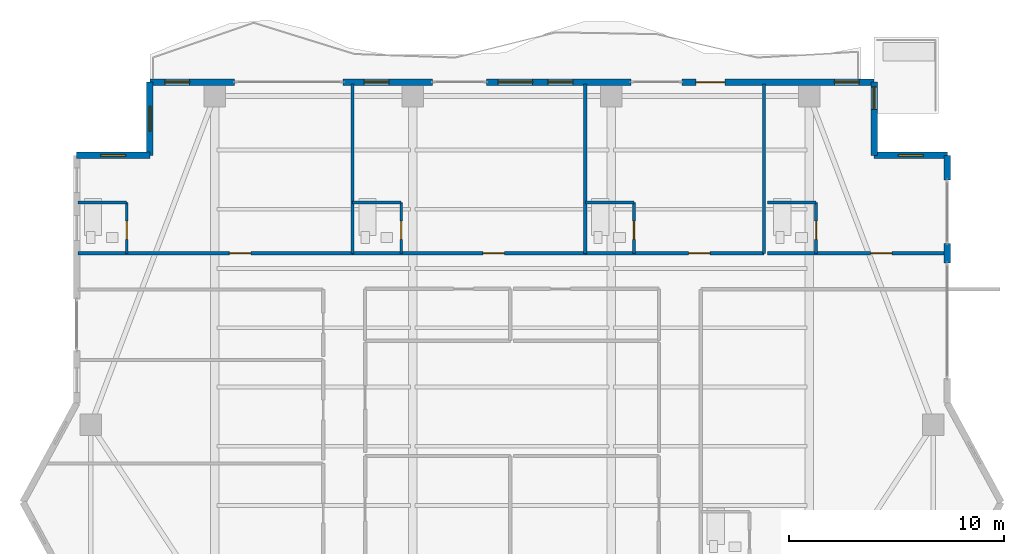
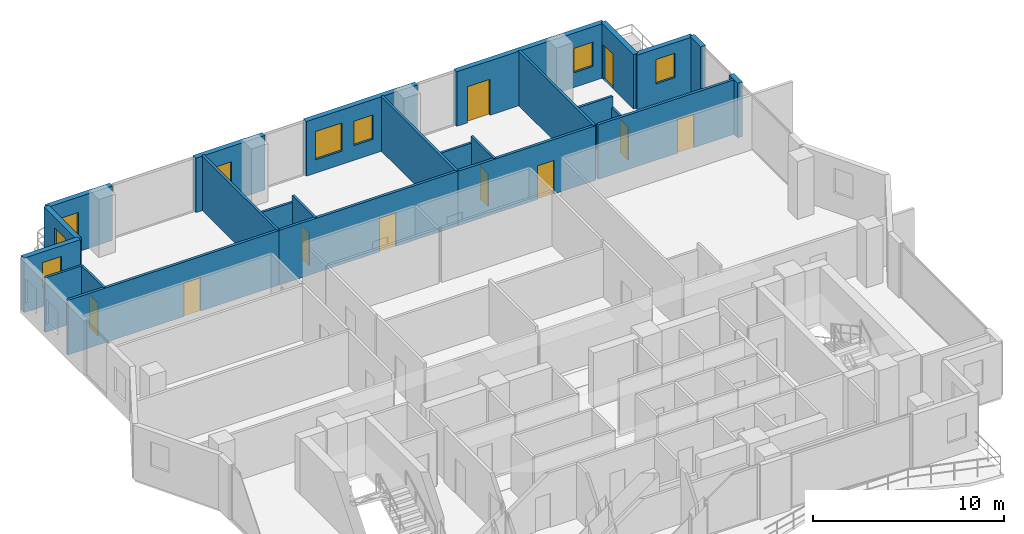
# One storey, part 20 of 24: 25 walls, 10 doors, 8 windows, 18 openings.
"""IFC4 building model written with IfcOpenShell, lengths in metres."""

from ifc_helpers import new_model, si_unit, direction, frame, frame_2d, origin, place, context, subcontext, project, spatial, rectangle, extrude, material, layer, layer_set, type_object, element, fill, save


model = new_model("IFC4")

# Units and contexts
model_context = context("Model", 3, precision=1e-05, world=origin(), true_north=direction((0.0, 1.0)))
body_context = subcontext(model_context, "Body", "Model", "MODEL_VIEW")
ifc_project = project(units=[si_unit("LENGTHUNIT", "METRE"), si_unit("AREAUNIT", "SQUARE_METRE"), si_unit("VOLUMEUNIT", "CUBIC_METRE"), si_unit("PLANEANGLEUNIT", "RADIAN"), si_unit("MASSUNIT", "GRAM", prefix="KILO")], contexts=[model_context])

# Site, building, storey
site_placement = place(None, origin())
site = spatial("IfcSite", under=ifc_project, at=site_placement, CompositionType="ELEMENT")
building_placement = place(site_placement, origin())
building = spatial("IfcBuilding", under=site, at=building_placement, Name="Zuhayl Quay Hotel", CompositionType="ELEMENT")
storey_placement = place(building_placement, frame((0.0, 0.0, 269.25)))
storey = spatial("IfcBuildingStorey", under=building, at=storey_placement, Name="L68", CompositionType="ELEMENT", Elevation=269.25)

# Wall, opening, window
ifc_material_1 = material(Name="Precast concrete C45/55", Category="concrete")
ifc_layer_1 = layer(ifc_material_1, 0.300048828125, Name="Precast concrete C45/55", Category="concrete")
ifc_layer_set_1 = layer_set([ifc_layer_1], Name="Precast concrete C45/55")
wall_type_1 = type_object("IfcWallType", Name="WL_EXT_300", PredefinedType="STANDARD", material=ifc_layer_set_1)
wall_1_placement = place(storey_placement, frame((-20.199951171875, 35.60009765625, 0.0), z_axis=(0.0, 0.0, 1.0), x_axis=(1.0, 0.0, 0.0)))
wall_1 = element("IfcWall", 1, at=wall_1_placement, inside=storey, type_object=wall_type_1, Name="L68 Exterior Precast Wall ENV_L68_EW06", PredefinedType="STANDARD", context=body_context, shape_type="SweptSolid", body=[
    extrude(rectangle(XDim=3.39990234375, YDim=0.300048828125, at=frame_2d((1.699951171875, 0.0))), origin(), (0.0, 0.0, 1.0), 3.47998046875),
])
opening_1_placement = place(wall_1_placement, frame((1.125, 0.0, 1.25)))
opening_1 = element("IfcOpeningElement", 2, at=opening_1_placement, cuts=wall_1, Name="Opening W01N", PredefinedType="OPENING", context=body_context, shape_type="SweptSolid", body=[
    extrude(rectangle(XDim=1.14990234375, YDim=1.550048828125, at=frame_2d((0.574951171875, 0.77490234375))), frame((0.0, 0.159912109375, 0.0), z_axis=(0.0, -1.0, 0.0), x_axis=(1.0, 0.0, 0.0)), (0.0, 0.0, 1.0), 0.320068359375),
])
ifc_material_2 = material(Name="Dark Ceramic-Fritted Solar Glass", Category="glass")
window_type_1 = type_object("IfcWindowType", Name="WN_NOTCH_1350", PartitioningType="SINGLE_PANEL", PredefinedType="WINDOW", material=ifc_material_2)
window_1_placement = place(opening_1_placement, origin())
window_1 = element("IfcWindow", 3, at=window_1_placement, inside=storey, type_object=window_type_1, Name="L68 Corner Notch Window 6", OverallHeight=1.550048828125, OverallWidth=1.14990234375, PartitioningType="SINGLE_PANEL", PredefinedType="WINDOW", context=body_context, shape_type="SweptSolid", body=[
    extrude(rectangle(XDim=1.14990234375, YDim=1.550048828125, at=frame_2d((0.574951171875, 0.77490234375))), frame((0.0, 0.030029296875, 0.0), z_axis=(0.0, -1.0, 0.0), x_axis=(1.0, 0.0, 0.0)), (0.0, 0.0, 1.0), 0.06005859375),
])
fill(opening_1, window_1)

wall_2_placement = place(storey_placement, frame((-16.800048828125, 35.60009765625, 0.0), z_axis=(0.0, 0.0, 1.0), x_axis=(0.0, 1.0, 0.0)))
wall_2 = element("IfcWall", 4, at=wall_2_placement, inside=storey, type_object=wall_type_1, Name="L68 Exterior Precast Wall ENV_L68_EW07", PredefinedType="STANDARD", context=body_context, shape_type="SweptSolid", body=[
    extrude(rectangle(XDim=3.39990234375, YDim=0.300048828125, at=frame_2d((1.699951171875, 0.0))), origin(), (0.0, 0.0, 1.0), 3.47998046875),
])
opening_2_placement = place(wall_2_placement, frame((1.125, 0.0, 1.25)))
opening_2 = element("IfcOpeningElement", 5, at=opening_2_placement, cuts=wall_2, Name="Opening W01N", PredefinedType="OPENING", context=body_context, shape_type="SweptSolid", body=[
    extrude(rectangle(XDim=1.14990234375, YDim=1.550048828125, at=frame_2d((0.574951171875, 0.77490234375))), frame((0.0, 0.159912109375, 0.0), z_axis=(0.0, -1.0, 0.0), x_axis=(1.0, 0.0, 0.0)), (0.0, 0.0, 1.0), 0.320068359375),
])
window_2_placement = place(opening_2_placement, origin())
window_2 = element("IfcWindow", 6, at=window_2_placement, inside=storey, type_object=window_type_1, Name="L68 Corner Notch Window 7", OverallHeight=1.550048828125, OverallWidth=1.14990234375, PartitioningType="SINGLE_PANEL", PredefinedType="WINDOW", context=body_context, shape_type="SweptSolid", body=[
    extrude(rectangle(XDim=1.14990234375, YDim=1.550048828125, at=frame_2d((0.574951171875, 0.77490234375))), frame((0.0, 0.030029296875, 0.0), z_axis=(0.0, -1.0, 0.0), x_axis=(1.0, 0.0, 0.0)), (0.0, 0.0, 1.0), 0.06005859375),
])
fill(opening_2, window_2)

wall_3_placement = place(storey_placement, frame((-16.800048828125, 39.0, 0.0), z_axis=(0.0, 0.0, 1.0), x_axis=(1.0, 0.0, 0.0)))
wall_3 = element("IfcWall", 7, at=wall_3_placement, inside=storey, type_object=wall_type_1, Name="L68 Exterior Precast Wall ENV_L68_N_EW1", PredefinedType="STANDARD", context=body_context, shape_type="SweptSolid", body=[
    extrude(rectangle(XDim=3.920166015625, YDim=0.300048828125, at=frame_2d((1.9599609375, 0.0))), origin(), (0.0, 0.0, 1.0), 3.47998046875),
])
opening_3_placement = place(wall_3_placement, frame((0.695068359375, 0.0, 0.949951171875)))
opening_3 = element("IfcOpeningElement", 8, at=opening_3_placement, cuts=wall_3, Name="Opening W01N", PredefinedType="OPENING", context=body_context, shape_type="SweptSolid", body=[
    extrude(rectangle(XDim=1.14990234375, YDim=1.550048828125, at=frame_2d((0.574951171875, 0.77490234375))), frame((0.0, 0.159912109375, 0.0), z_axis=(0.0, -1.0, 0.0), x_axis=(1.0, 0.0, 0.0)), (0.0, 0.0, 1.0), 0.320068359375),
])
window_3_placement = place(opening_3_placement, origin())
window_3 = element("IfcWindow", 9, at=window_3_placement, inside=storey, type_object=window_type_1, Name="L68 Operable Facade Window 1-1", OverallHeight=1.550048828125, OverallWidth=1.14990234375, PartitioningType="SINGLE_PANEL", PredefinedType="WINDOW", context=body_context, shape_type="SweptSolid", body=[
    extrude(rectangle(XDim=1.14990234375, YDim=1.550048828125, at=frame_2d((0.574951171875, 0.77490234375))), frame((0.0, 0.030029296875, 0.0), z_axis=(0.0, -1.0, 0.0), x_axis=(1.0, 0.0, 0.0)), (0.0, 0.0, 1.0), 0.06005859375),
])
fill(opening_3, window_3)

wall_4_placement = place(storey_placement, frame((-7.85009765625, 39.0, 0.0), z_axis=(0.0, 0.0, 1.0), x_axis=(1.0, 0.0, 0.0)))
wall_4 = element("IfcWall", 10, at=wall_4_placement, inside=storey, type_object=wall_type_1, Name="L68 Exterior Precast Wall ENV_L68_N_EW2", PredefinedType="STANDARD", context=body_context, shape_type="SweptSolid", body=[
    extrude(rectangle(XDim=4.170166015625, YDim=0.300048828125, at=frame_2d((2.0849609375, 0.0))), origin(), (0.0, 0.0, 1.0), 3.47998046875),
])
opening_4_placement = place(wall_4_placement, frame((0.985107421875, 0.0, 0.949951171875)))
opening_4 = element("IfcOpeningElement", 11, at=opening_4_placement, cuts=wall_4, Name="Opening W01N", PredefinedType="OPENING", context=body_context, shape_type="SweptSolid", body=[
    extrude(rectangle(XDim=1.14990234375, YDim=1.550048828125, at=frame_2d((0.574951171875, 0.77490234375))), frame((0.0, 0.159912109375, 0.0), z_axis=(0.0, -1.0, 0.0), x_axis=(1.0, 0.0, 0.0)), (0.0, 0.0, 1.0), 0.320068359375),
])
window_4_placement = place(opening_4_placement, origin())
window_4 = element("IfcWindow", 12, at=window_4_placement, inside=storey, type_object=window_type_1, Name="L68 Operable Facade Window 2-1", OverallHeight=1.550048828125, OverallWidth=1.14990234375, PartitioningType="SINGLE_PANEL", PredefinedType="WINDOW", context=body_context, shape_type="SweptSolid", body=[
    extrude(rectangle(XDim=1.14990234375, YDim=1.550048828125, at=frame_2d((0.574951171875, 0.77490234375))), frame((0.0, 0.030029296875, 0.0), z_axis=(0.0, -1.0, 0.0), x_axis=(1.0, 0.0, 0.0)), (0.0, 0.0, 1.0), 0.06005859375),
])
fill(opening_4, window_4)

# Wall, openings, windows
wall_5_placement = place(storey_placement, frame((-1.18994140625, 39.0, 0.0), z_axis=(0.0, 0.0, 1.0), x_axis=(1.0, 0.0, 0.0)))
wall_5 = element("IfcWall", 13, at=wall_5_placement, inside=storey, type_object=wall_type_1, Name="L68 Exterior Precast Wall ENV_L68_N_EW3", PredefinedType="STANDARD", context=body_context, shape_type="SweptSolid", body=[
    extrude(rectangle(XDim=6.7099609375, YDim=0.300048828125, at=frame_2d((3.35498046875, 0.0))), origin(), (0.0, 0.0, 1.0), 3.47998046875),
])
opening_5_placement = place(wall_5_placement, frame((0.550048828125, 0.0, 0.85009765625)))
opening_5 = element("IfcOpeningElement", 14, at=opening_5_placement, cuts=wall_5, Name="Opening W01", PredefinedType="OPENING", context=body_context, shape_type="SweptSolid", body=[
    extrude(rectangle(XDim=1.60009765625, YDim=1.800048828125, at=frame_2d((0.800048828125, 0.89990234375))), frame((0.0, 0.159912109375, 0.0), z_axis=(0.0, -1.0, 0.0), x_axis=(1.0, 0.0, 0.0)), (0.0, 0.0, 1.0), 0.320068359375),
])
opening_6_placement = place(wall_5_placement, frame((2.860107421875, 0.0, 0.949951171875)))
opening_6 = element("IfcOpeningElement", 15, at=opening_6_placement, cuts=wall_5, Name="Opening W01N", PredefinedType="OPENING", context=body_context, shape_type="SweptSolid", body=[
    extrude(rectangle(XDim=1.14990234375, YDim=1.550048828125, at=frame_2d((0.574951171875, 0.77490234375))), frame((0.0, 0.159912109375, 0.0), z_axis=(0.0, -1.0, 0.0), x_axis=(1.0, 0.0, 0.0)), (0.0, 0.0, 1.0), 0.320068359375),
])
window_5_placement = place(opening_6_placement, origin())
window_5 = element("IfcWindow", 16, at=window_5_placement, inside=storey, type_object=window_type_1, Name="L68 Operable Facade Window 3-1", OverallHeight=1.550048828125, OverallWidth=1.14990234375, PartitioningType="SINGLE_PANEL", PredefinedType="WINDOW", context=body_context, shape_type="SweptSolid", body=[
    extrude(rectangle(XDim=1.14990234375, YDim=1.550048828125, at=frame_2d((0.574951171875, 0.77490234375))), frame((0.0, 0.030029296875, 0.0), z_axis=(0.0, -1.0, 0.0), x_axis=(1.0, 0.0, 0.0)), (0.0, 0.0, 1.0), 0.06005859375),
])
fill(opening_6, window_5)
window_type_2 = type_object("IfcWindowType", Name="WN_OPERABLE_1600", PartitioningType="DOUBLE_PANEL_VERTICAL", PredefinedType="WINDOW", material=ifc_material_2)
window_6_placement = place(opening_5_placement, origin())
window_6 = element("IfcWindow", 17, at=window_6_placement, inside=storey, type_object=window_type_2, Name="L68 North Operable Casement Window", OverallHeight=1.800048828125, OverallWidth=1.60009765625, PartitioningType="SINGLE_PANEL", PredefinedType="WINDOW", context=body_context, shape_type="SweptSolid", body=[
    extrude(rectangle(XDim=1.60009765625, YDim=1.800048828125, at=frame_2d((0.800048828125, 0.89990234375))), frame((0.0, 0.030029296875, 0.0), z_axis=(0.0, -1.0, 0.0), x_axis=(1.0, 0.0, 0.0)), (0.0, 0.0, 1.0), 0.06005859375),
])
fill(opening_5, window_6)

# Wall, openings, door, window
wall_6_placement = place(storey_placement, frame((7.8779296875, 39.0, 0.0), z_axis=(0.0, 0.0, 1.0), x_axis=(1.0, 0.0, 0.0)))
wall_6 = element("IfcWall", 18, at=wall_6_placement, inside=storey, type_object=wall_type_1, Name="L68 Exterior Precast Wall ENV_L68_N_EW4", PredefinedType="STANDARD", context=body_context, shape_type="SweptSolid", body=[
    extrude(rectangle(XDim=8.922119140625, YDim=0.300048828125, at=frame_2d((4.4609375, 0.0))), origin(), (0.0, 0.0, 1.0), 3.47998046875),
])
opening_7_placement = place(wall_6_placement, frame((0.64990234375, 0.0, 0.0)))
opening_7 = element("IfcOpeningElement", 19, at=opening_7_placement, cuts=wall_6, Name="Opening DG2", PredefinedType="OPENING", context=body_context, shape_type="SweptSolid", body=[
    extrude(rectangle(XDim=1.35009765625, YDim=2.300048828125, at=frame_2d((0.675048828125, 1.14990234375))), frame((0.0, 0.159912109375, 0.0), z_axis=(0.0, -1.0, 0.0), x_axis=(1.0, 0.0, 0.0)), (0.0, 0.0, 1.0), 0.320068359375),
])
opening_8_placement = place(wall_6_placement, frame((7.076904296875, 0.0, 0.949951171875)))
opening_8 = element("IfcOpeningElement", 20, at=opening_8_placement, cuts=wall_6, Name="Opening W01N", PredefinedType="OPENING", context=body_context, shape_type="SweptSolid", body=[
    extrude(rectangle(XDim=1.14990234375, YDim=1.550048828125, at=frame_2d((0.574951171875, 0.77490234375))), frame((0.0, 0.159912109375, 0.0), z_axis=(0.0, -1.0, 0.0), x_axis=(1.0, 0.0, 0.0)), (0.0, 0.0, 1.0), 0.320068359375),
])
ifc_material_3 = material(Name="Anodised Aluminium and Dark Solar Glass", Category="aluminium")
door_type_1 = type_object("IfcDoorType", Name="DR_EXT_TERR_1350", OperationType="NOTDEFINED", PredefinedType="DOOR", material=ifc_material_3)
door_1_placement = place(opening_7_placement, origin())
door_1 = element("IfcDoor", 21, at=door_1_placement, inside=storey, type_object=door_type_1, Name="L68 North Rippling Balcony Door", OperationType="SINGLE_SWING_LEFT", OverallHeight=2.300048828125, OverallWidth=1.35009765625, PredefinedType="DOOR", context=body_context, shape_type="SweptSolid", body=[
    extrude(rectangle(XDim=1.35009765625, YDim=2.300048828125, at=frame_2d((0.675048828125, 1.14990234375))), frame((0.0, 0.02490234375, 0.0), z_axis=(0.0, -1.0, 0.0), x_axis=(1.0, 0.0, 0.0)), (0.0, 0.0, 1.0), 0.050048828125),
])
fill(opening_7, door_1)
window_7_placement = place(opening_8_placement, origin())
window_7 = element("IfcWindow", 22, at=window_7_placement, inside=storey, type_object=window_type_1, Name="L68 Operable Facade Window 4-1", OverallHeight=1.550048828125, OverallWidth=1.14990234375, PartitioningType="SINGLE_PANEL", PredefinedType="WINDOW", context=body_context, shape_type="SweptSolid", body=[
    extrude(rectangle(XDim=1.14990234375, YDim=1.550048828125, at=frame_2d((0.574951171875, 0.77490234375))), frame((0.0, 0.030029296875, 0.0), z_axis=(0.0, -1.0, 0.0), x_axis=(1.0, 0.0, 0.0)), (0.0, 0.0, 1.0), 0.06005859375),
])
fill(opening_8, window_7)

# Wall, opening, door
wall_7_placement = place(storey_placement, frame((16.800048828125, 39.0, 0.0), z_axis=(0.0, 0.0, 1.0), x_axis=(0.0, -1.0, 0.0)))
wall_7 = element("IfcWall", 23, at=wall_7_placement, inside=storey, type_object=wall_type_1, Name="L68 Exterior Precast Wall ENV_L68_SP_NE", PredefinedType="STANDARD", context=body_context, shape_type="SweptSolid", body=[
    extrude(rectangle(XDim=3.39990234375, YDim=0.300048828125, at=frame_2d((1.699951171875, 0.0))), origin(), (0.0, 0.0, 1.0), 3.47998046875),
])
opening_9_placement = place(wall_7_placement, frame((0.219970703125, 0.0, 0.0)))
opening_9 = element("IfcOpeningElement", 24, at=opening_9_placement, cuts=wall_7, Name="Opening DG1", PredefinedType="OPENING", context=body_context, shape_type="SweptSolid", body=[
    extrude(rectangle(XDim=1.050048828125, YDim=2.199951171875, at=frame_2d((0.52490234375, 1.10009765625))), frame((0.0, 0.159912109375, 0.0), z_axis=(0.0, -1.0, 0.0), x_axis=(1.0, 0.0, 0.0)), (0.0, 0.0, 1.0), 0.320068359375),
])
door_type_2 = type_object("IfcDoorType", Name="DR_EXT_TERR_1050", OperationType="NOTDEFINED", PredefinedType="DOOR", material=ifc_material_3)
door_2_placement = place(opening_9_placement, origin())
door_2 = element("IfcDoor", 25, at=door_2_placement, inside=storey, type_object=door_type_2, Name="L68 Spiral Sky-Terrace NE Access Door", OperationType="SINGLE_SWING_LEFT", OverallHeight=2.199951171875, OverallWidth=1.050048828125, PredefinedType="DOOR", context=body_context, shape_type="SweptSolid", body=[
    extrude(rectangle(XDim=1.050048828125, YDim=2.199951171875, at=frame_2d((0.52490234375, 1.10009765625))), frame((0.0, 0.02490234375, 0.0), z_axis=(0.0, -1.0, 0.0), x_axis=(1.0, 0.0, 0.0)), (0.0, 0.0, 1.0), 0.050048828125),
])
fill(opening_9, door_2)

# Wall, opening, window
wall_8_placement = place(storey_placement, frame((16.800048828125, 35.60009765625, 0.0), z_axis=(0.0, 0.0, 1.0), x_axis=(1.0, 0.0, 0.0)))
wall_8 = element("IfcWall", 26, at=wall_8_placement, inside=storey, type_object=wall_type_1, Name="L68 Exterior Precast Wall ENV_L68_EW10", PredefinedType="STANDARD", context=body_context, shape_type="SweptSolid", body=[
    extrude(rectangle(XDim=3.39990234375, YDim=0.300048828125, at=frame_2d((1.699951171875, 0.0))), origin(), (0.0, 0.0, 1.0), 3.47998046875),
])
opening_10_placement = place(wall_8_placement, frame((1.125, 0.0, 1.25)))
opening_10 = element("IfcOpeningElement", 27, at=opening_10_placement, cuts=wall_8, Name="Opening W01N", PredefinedType="OPENING", context=body_context, shape_type="SweptSolid", body=[
    extrude(rectangle(XDim=1.14990234375, YDim=1.550048828125, at=frame_2d((0.574951171875, 0.77490234375))), frame((0.0, 0.159912109375, 0.0), z_axis=(0.0, -1.0, 0.0), x_axis=(1.0, 0.0, 0.0)), (0.0, 0.0, 1.0), 0.320068359375),
])
window_8_placement = place(opening_10_placement, origin())
window_8 = element("IfcWindow", 28, at=window_8_placement, inside=storey, type_object=window_type_1, Name="L68 Corner Notch Window 10", OverallHeight=1.550048828125, OverallWidth=1.14990234375, PartitioningType="SINGLE_PANEL", PredefinedType="WINDOW", context=body_context, shape_type="SweptSolid", body=[
    extrude(rectangle(XDim=1.14990234375, YDim=1.550048828125, at=frame_2d((0.574951171875, 0.77490234375))), frame((0.0, 0.030029296875, 0.0), z_axis=(0.0, -1.0, 0.0), x_axis=(1.0, 0.0, 0.0)), (0.0, 0.0, 1.0), 0.06005859375),
])
fill(opening_10, window_8)

# Walls
wall_9_placement = place(storey_placement, frame((20.199951171875, 35.60009765625, 0.0), z_axis=(0.0, 0.0, 1.0), x_axis=(0.0, -1.0, 0.0)))
element("IfcWall", 29, at=wall_9_placement, inside=storey, type_object=wall_type_1, Name="L68 Exterior Precast Wall ENV_L68_E11_EW1", PredefinedType="STANDARD", context=body_context, shape_type="SweptSolid", body=[
    extrude(rectangle(XDim=1.150146484375, YDim=0.300048828125, at=frame_2d((0.5751953125, 0.0))), origin(), (0.0, 0.0, 1.0), 3.47998046875),
])
wall_10_placement = place(storey_placement, frame((20.199951171875, 31.5, 0.0), z_axis=(0.0, 0.0, 1.0), x_axis=(0.0, -1.0, 0.0)))
element("IfcWall", 30, at=wall_10_placement, inside=storey, type_object=wall_type_1, Name="L68 Exterior Precast Wall ENV_L68_E11_EW2", PredefinedType="STANDARD", context=body_context, shape_type="SweptSolid", body=[
    extrude(rectangle(XDim=0.89990234375, YDim=0.300048828125, at=frame_2d((0.449951171875, 0.0))), origin(), (0.0, 0.0, 1.0), 3.47998046875),
])
ifc_material_4 = material(Name="Acoustic Gypsum Partition STC-58")
ifc_layer_2 = layer(ifc_material_4, 0.14990234375, Name="Acoustic Gypsum Partition STC-58")
ifc_layer_set_2 = layer_set([ifc_layer_2], Name="Acoustic Gypsum Partition STC-58")
wall_type_2 = type_object("IfcWallType", Name="WL_PART_150", PredefinedType="PARTITIONING", material=ifc_layer_set_2)
for number, where, z_axis, x_axis, name in (
    (31, (-7.39990234375, 31.050048828125, 0.0), (0.0, 0.0, 1.0), (0.0, 1.0, 0.0), "L68 Partition IW_L68_NU01_E"),
    (32, (3.39990234375, 31.050048828125, 0.0), (0.0, 0.0, 1.0), (0.0, 1.0, 0.0), "L68 Partition IW_L68_NU02_E"),
    (33, (11.68994140625, 31.050048828125, 0.0), (0.0, 0.0, 1.0), (0.0, 1.0, 0.0), "L68 Partition IW_L68_NU03A_E"),
):
    element("IfcWall", number, at=place(storey_placement, frame(where, z_axis=z_axis, x_axis=x_axis)), inside=storey, type_object=wall_type_2, Name=name, PredefinedType="PARTITIONING", context=body_context, shape_type="SweptSolid", body=[
        extrude(rectangle(XDim=7.869873046875, YDim=0.14990234375, at=frame_2d((3.93505859375, 0.0))), origin(), (0.0, 0.0, 1.0), 3.47998046875),
    ])

# Wall, opening, door
ifc_layer_3 = layer(ifc_material_4, 0.159912109375, Name="Acoustic Gypsum Partition STC-58")
ifc_layer_set_3 = layer_set([ifc_layer_3], Name="Acoustic Gypsum Partition STC-58")
wall_type_3 = type_object("IfcWallType", Name="WL_PART_CORR_160", PredefinedType="PARTITIONING", material=ifc_layer_set_3)
wall_11_placement = place(storey_placement, frame((-20.139892578125, 31.050048828125, 0.0), z_axis=(0.0, 0.0, 1.0), x_axis=(1.0, 0.0, 0.0)))
wall_11 = element("IfcWall", 34, at=wall_11_placement, inside=storey, type_object=wall_type_3, Name="L68 Partition IW_L68_NU01_COR", PredefinedType="PARTITIONING", context=body_context, shape_type="SweptSolid", body=[
    extrude(rectangle(XDim=12.739990234375, YDim=0.159912109375, at=frame_2d((6.3701171875, 0.0))), origin(), (0.0, 0.0, 1.0), 3.47998046875),
])
opening_11_placement = place(wall_11_placement, frame((7.02001953125, 0.0, 0.0)))
opening_11 = element("IfcOpeningElement", 35, at=opening_11_placement, cuts=wall_11, Name="Opening D03L", PredefinedType="OPENING", context=body_context, shape_type="SweptSolid", body=[
    extrude(rectangle(XDim=1.0, YDim=2.14990234375, at=frame_2d((0.5, 1.074951171875))), frame((0.0, 0.08984375, 0.0), z_axis=(0.0, -1.0, 0.0), x_axis=(1.0, 0.0, 0.0)), (0.0, 0.0, 1.0), 0.179931640625),
])
ifc_material_5 = material(Name="Solid Walnut Acoustic Fire Door")
door_type_3 = type_object("IfcDoorType", Name="DR_SUITE_1000", OperationType="NOTDEFINED", PredefinedType="DOOR", material=ifc_material_5)
door_3_placement = place(opening_11_placement, origin())
door_3 = element("IfcDoor", 36, at=door_3_placement, inside=storey, type_object=door_type_3, Name="L68 Royal Gulf Suite L68-01 Entrance Door", OperationType="SINGLE_SWING_LEFT", OverallHeight=2.14990234375, OverallWidth=1.0, PredefinedType="DOOR", context=body_context, shape_type="SweptSolid", body=[
    extrude(rectangle(XDim=1.0, YDim=2.14990234375, at=frame_2d((0.5, 1.074951171875))), frame((0.0, 0.02490234375, 0.0), z_axis=(0.0, -1.0, 0.0), x_axis=(1.0, 0.0, 0.0)), (0.0, 0.0, 1.0), 0.050048828125),
])
fill(opening_11, door_3)

wall_12_placement = place(storey_placement, frame((-7.39990234375, 31.050048828125, 0.0), z_axis=(0.0, 0.0, 1.0), x_axis=(1.0, 0.0, 0.0)))
wall_12 = element("IfcWall", 37, at=wall_12_placement, inside=storey, type_object=wall_type_3, Name="L68 Partition IW_L68_NU02_COR", PredefinedType="PARTITIONING", context=body_context, shape_type="SweptSolid", body=[
    extrude(rectangle(XDim=10.7998046875, YDim=0.159912109375, at=frame_2d((5.39990234375, 0.0))), origin(), (0.0, 0.0, 1.0), 3.47998046875),
])
opening_12_placement = place(wall_12_placement, frame((6.050048828125, 0.0, 0.0)))
opening_12 = element("IfcOpeningElement", 38, at=opening_12_placement, cuts=wall_12, Name="Opening D03L", PredefinedType="OPENING", context=body_context, shape_type="SweptSolid", body=[
    extrude(rectangle(XDim=1.0, YDim=2.14990234375, at=frame_2d((0.5, 1.074951171875))), frame((0.0, 0.08984375, 0.0), z_axis=(0.0, -1.0, 0.0), x_axis=(1.0, 0.0, 0.0)), (0.0, 0.0, 1.0), 0.179931640625),
])
door_4_placement = place(opening_12_placement, origin())
door_4 = element("IfcDoor", 39, at=door_4_placement, inside=storey, type_object=door_type_3, Name="L68 Royal Gulf Suite L68-02 Entrance Door", OperationType="SINGLE_SWING_LEFT", OverallHeight=2.14990234375, OverallWidth=1.0, PredefinedType="DOOR", context=body_context, shape_type="SweptSolid", body=[
    extrude(rectangle(XDim=1.0, YDim=2.14990234375, at=frame_2d((0.5, 1.074951171875))), frame((0.0, 0.02490234375, 0.0), z_axis=(0.0, -1.0, 0.0), x_axis=(1.0, 0.0, 0.0)), (0.0, 0.0, 1.0), 0.050048828125),
])
fill(opening_12, door_4)

wall_13_placement = place(storey_placement, frame((3.39990234375, 31.050048828125, 0.0), z_axis=(0.0, 0.0, 1.0), x_axis=(1.0, 0.0, 0.0)))
wall_13 = element("IfcWall", 40, at=wall_13_placement, inside=storey, type_object=wall_type_3, Name="L68 Partition IW_L68_NU03A_COR", PredefinedType="PARTITIONING", context=body_context, shape_type="SweptSolid", body=[
    extrude(rectangle(XDim=8.2900390625, YDim=0.159912109375, at=frame_2d((4.14501953125, 0.0))), origin(), (0.0, 0.0, 1.0), 3.47998046875),
])
opening_13_placement = place(wall_13_placement, frame((4.794921875, 0.0, 0.0)))
opening_13 = element("IfcOpeningElement", 41, at=opening_13_placement, cuts=wall_13, Name="Opening D03L", PredefinedType="OPENING", context=body_context, shape_type="SweptSolid", body=[
    extrude(rectangle(XDim=1.0, YDim=2.14990234375, at=frame_2d((0.5, 1.074951171875))), frame((0.0, 0.08984375, 0.0), z_axis=(0.0, -1.0, 0.0), x_axis=(1.0, 0.0, 0.0)), (0.0, 0.0, 1.0), 0.179931640625),
])
door_5_placement = place(opening_13_placement, origin())
door_5 = element("IfcDoor", 42, at=door_5_placement, inside=storey, type_object=door_type_3, Name="L68 Royal Gulf Suite L68-03A Entrance Door", OperationType="SINGLE_SWING_LEFT", OverallHeight=2.14990234375, OverallWidth=1.0, PredefinedType="DOOR", context=body_context, shape_type="SweptSolid", body=[
    extrude(rectangle(XDim=1.0, YDim=2.14990234375, at=frame_2d((0.5, 1.074951171875))), frame((0.0, 0.02490234375, 0.0), z_axis=(0.0, -1.0, 0.0), x_axis=(1.0, 0.0, 0.0)), (0.0, 0.0, 1.0), 0.050048828125),
])
fill(opening_13, door_5)

wall_14_placement = place(storey_placement, frame((11.85009765625, 31.050048828125, 0.0), z_axis=(0.0, 0.0, 1.0), x_axis=(1.0, 0.0, 0.0)))
wall_14 = element("IfcWall", 43, at=wall_14_placement, inside=storey, type_object=wall_type_3, Name="L68 Partition IW_L68_NU03B_COR", PredefinedType="PARTITIONING", context=body_context, shape_type="SweptSolid", body=[
    extrude(rectangle(XDim=8.289794921875, YDim=0.159912109375, at=frame_2d((4.14501953125, 0.0))), origin(), (0.0, 0.0, 1.0), 3.47998046875),
])
opening_14_placement = place(wall_14_placement, frame((4.794921875, 0.0, 0.0)))
opening_14 = element("IfcOpeningElement", 44, at=opening_14_placement, cuts=wall_14, Name="Opening D03L", PredefinedType="OPENING", context=body_context, shape_type="SweptSolid", body=[
    extrude(rectangle(XDim=1.0, YDim=2.14990234375, at=frame_2d((0.5, 1.074951171875))), frame((0.0, 0.08984375, 0.0), z_axis=(0.0, -1.0, 0.0), x_axis=(1.0, 0.0, 0.0)), (0.0, 0.0, 1.0), 0.179931640625),
])
door_6_placement = place(opening_14_placement, origin())
door_6 = element("IfcDoor", 45, at=door_6_placement, inside=storey, type_object=door_type_3, Name="L68 Royal Gulf Suite L68-03B Entrance Door", OperationType="SINGLE_SWING_LEFT", OverallHeight=2.14990234375, OverallWidth=1.0, PredefinedType="DOOR", context=body_context, shape_type="SweptSolid", body=[
    extrude(rectangle(XDim=1.0, YDim=2.14990234375, at=frame_2d((0.5, 1.074951171875))), frame((0.0, 0.02490234375, 0.0), z_axis=(0.0, -1.0, 0.0), x_axis=(1.0, 0.0, 0.0)), (0.0, 0.0, 1.0), 0.050048828125),
])
fill(opening_14, door_6)

ifc_material_6 = material(Name="Moisture-Resistant Sanitarychase Gypsum")
ifc_layer_4 = layer(ifc_material_6, 0.135009765625, Name="Moisture-Resistant Sanitarychase Gypsum")
ifc_layer_set_4 = layer_set([ifc_layer_4], Name="Moisture-Resistant Sanitarychase Gypsum")
wall_type_4 = type_object("IfcWallType", Name="WL_PART_PLUMB_150", PredefinedType="PLUMBINGWALL", material=ifc_layer_set_4)
wall_15_placement = place(storey_placement, frame((-17.8798828125, 31.050048828125, 0.0), z_axis=(0.0, 0.0, 1.0), x_axis=(0.0, 1.0, 0.0)))
wall_15 = element("IfcWall", 46, at=wall_15_placement, inside=storey, type_object=wall_type_4, Name="L68 Partition IW_L68_NU01_BE", PredefinedType="PLUMBINGWALL", context=body_context, shape_type="SweptSolid", body=[
    extrude(rectangle(XDim=2.35986328125, YDim=0.135009765625, at=frame_2d((1.179931640625, 0.0))), origin(), (0.0, 0.0, 1.0), 3.47998046875),
])
opening_15_placement = place(wall_15_placement, frame((0.64990234375, 0.0, 0.0)))
opening_15 = element("IfcOpeningElement", 47, at=opening_15_placement, cuts=wall_15, Name="Opening D04", PredefinedType="OPENING", context=body_context, shape_type="SweptSolid", body=[
    extrude(rectangle(XDim=0.85009765625, YDim=2.10009765625, at=frame_2d((0.425048828125, 1.050048828125))), frame((0.0, 0.077392578125, 0.0), z_axis=(0.0, -1.0, 0.0), x_axis=(1.0, 0.0, 0.0)), (0.0, 0.0, 1.0), 0.155029296875),
])
ifc_material_7 = material(Name="Moisture-Resistant Walnut Veneer")
door_type_4 = type_object("IfcDoorType", Name="DR_BATH_850", OperationType="NOTDEFINED", PredefinedType="DOOR", material=ifc_material_7)
door_7_placement = place(opening_15_placement, origin())
door_7 = element("IfcDoor", 48, at=door_7_placement, inside=storey, type_object=door_type_4, Name="L68 Royal Gulf Suite L68-01 En-Suite Door", OperationType="SINGLE_SWING_RIGHT", OverallHeight=2.10009765625, OverallWidth=0.85009765625, PredefinedType="DOOR", context=body_context, shape_type="SweptSolid", body=[
    extrude(rectangle(XDim=0.85009765625, YDim=2.10009765625, at=frame_2d((0.425048828125, 1.050048828125))), frame((0.0, 0.02490234375, 0.0), z_axis=(0.0, -1.0, 0.0), x_axis=(1.0, 0.0, 0.0)), (0.0, 0.0, 1.0), 0.050048828125),
])
fill(opening_15, door_7)

wall_16_placement = place(storey_placement, frame((-5.139892578125, 31.050048828125, 0.0), z_axis=(0.0, 0.0, 1.0), x_axis=(0.0, 1.0, 0.0)))
wall_16 = element("IfcWall", 49, at=wall_16_placement, inside=storey, type_object=wall_type_4, Name="L68 Partition IW_L68_NU02_BE", PredefinedType="PLUMBINGWALL", context=body_context, shape_type="SweptSolid", body=[
    extrude(rectangle(XDim=2.35986328125, YDim=0.135009765625, at=frame_2d((1.179931640625, 0.0))), origin(), (0.0, 0.0, 1.0), 3.47998046875),
])
opening_16_placement = place(wall_16_placement, frame((0.64990234375, 0.0, 0.0)))
opening_16 = element("IfcOpeningElement", 50, at=opening_16_placement, cuts=wall_16, Name="Opening D04", PredefinedType="OPENING", context=body_context, shape_type="SweptSolid", body=[
    extrude(rectangle(XDim=0.85009765625, YDim=2.10009765625, at=frame_2d((0.425048828125, 1.050048828125))), frame((0.0, 0.077392578125, 0.0), z_axis=(0.0, -1.0, 0.0), x_axis=(1.0, 0.0, 0.0)), (0.0, 0.0, 1.0), 0.155029296875),
])
door_8_placement = place(opening_16_placement, origin())
door_8 = element("IfcDoor", 51, at=door_8_placement, inside=storey, type_object=door_type_4, Name="L68 Royal Gulf Suite L68-02 En-Suite Door", OperationType="SINGLE_SWING_RIGHT", OverallHeight=2.10009765625, OverallWidth=0.85009765625, PredefinedType="DOOR", context=body_context, shape_type="SweptSolid", body=[
    extrude(rectangle(XDim=0.85009765625, YDim=2.10009765625, at=frame_2d((0.425048828125, 1.050048828125))), frame((0.0, 0.02490234375, 0.0), z_axis=(0.0, -1.0, 0.0), x_axis=(1.0, 0.0, 0.0)), (0.0, 0.0, 1.0), 0.050048828125),
])
fill(opening_16, door_8)

wall_17_placement = place(storey_placement, frame((5.659912109375, 31.050048828125, 0.0), z_axis=(0.0, 0.0, 1.0), x_axis=(0.0, 1.0, 0.0)))
wall_17 = element("IfcWall", 52, at=wall_17_placement, inside=storey, type_object=wall_type_4, Name="L68 Partition IW_L68_NU03A_BE", PredefinedType="PLUMBINGWALL", context=body_context, shape_type="SweptSolid", body=[
    extrude(rectangle(XDim=2.35986328125, YDim=0.135009765625, at=frame_2d((1.179931640625, 0.0))), origin(), (0.0, 0.0, 1.0), 3.47998046875),
])
opening_17_placement = place(wall_17_placement, frame((0.64990234375, 0.0, 0.0)))
opening_17 = element("IfcOpeningElement", 53, at=opening_17_placement, cuts=wall_17, Name="Opening D04", PredefinedType="OPENING", context=body_context, shape_type="SweptSolid", body=[
    extrude(rectangle(XDim=0.85009765625, YDim=2.10009765625, at=frame_2d((0.425048828125, 1.050048828125))), frame((0.0, 0.077392578125, 0.0), z_axis=(0.0, -1.0, 0.0), x_axis=(1.0, 0.0, 0.0)), (0.0, 0.0, 1.0), 0.155029296875),
])
door_9_placement = place(opening_17_placement, origin())
door_9 = element("IfcDoor", 54, at=door_9_placement, inside=storey, type_object=door_type_4, Name="L68 Royal Gulf Suite L68-03A En-Suite Door", OperationType="SINGLE_SWING_RIGHT", OverallHeight=2.10009765625, OverallWidth=0.85009765625, PredefinedType="DOOR", context=body_context, shape_type="SweptSolid", body=[
    extrude(rectangle(XDim=0.85009765625, YDim=2.10009765625, at=frame_2d((0.425048828125, 1.050048828125))), frame((0.0, 0.02490234375, 0.0), z_axis=(0.0, -1.0, 0.0), x_axis=(1.0, 0.0, 0.0)), (0.0, 0.0, 1.0), 0.050048828125),
])
fill(opening_17, door_9)

wall_18_placement = place(storey_placement, frame((14.110107421875, 31.050048828125, 0.0), z_axis=(0.0, 0.0, 1.0), x_axis=(0.0, 1.0, 0.0)))
wall_18 = element("IfcWall", 55, at=wall_18_placement, inside=storey, type_object=wall_type_4, Name="L68 Partition IW_L68_NU03B_BE", PredefinedType="PLUMBINGWALL", context=body_context, shape_type="SweptSolid", body=[
    extrude(rectangle(XDim=2.35986328125, YDim=0.135009765625, at=frame_2d((1.179931640625, 0.0))), origin(), (0.0, 0.0, 1.0), 2.362060546875),
])
opening_18_placement = place(wall_18_placement, frame((0.64990234375, 0.0, 0.0)))
opening_18 = element("IfcOpeningElement", 56, at=opening_18_placement, cuts=wall_18, Name="Opening D04", PredefinedType="OPENING", context=body_context, shape_type="SweptSolid", body=[
    extrude(rectangle(XDim=0.85009765625, YDim=2.10009765625, at=frame_2d((0.425048828125, 1.050048828125))), frame((0.0, 0.077392578125, 0.0), z_axis=(0.0, -1.0, 0.0), x_axis=(1.0, 0.0, 0.0)), (0.0, 0.0, 1.0), 0.155029296875),
])
door_10_placement = place(opening_18_placement, origin())
door_10 = element("IfcDoor", 57, at=door_10_placement, inside=storey, type_object=door_type_4, Name="L68 Royal Gulf Suite L68-03B En-Suite Door", OperationType="SINGLE_SWING_RIGHT", OverallHeight=2.10009765625, OverallWidth=0.85009765625, PredefinedType="DOOR", context=body_context, shape_type="SweptSolid", body=[
    extrude(rectangle(XDim=0.85009765625, YDim=2.10009765625, at=frame_2d((0.425048828125, 1.050048828125))), frame((0.0, 0.02490234375, 0.0), z_axis=(0.0, -1.0, 0.0), x_axis=(1.0, 0.0, 0.0)), (0.0, 0.0, 1.0), 0.050048828125),
])
fill(opening_18, door_10)

# Walls
wall_19_placement = place(storey_placement, frame((-20.139892578125, 33.409912109375, 0.0), z_axis=(0.0, 0.0, 1.0), x_axis=(1.0, 0.0, 0.0)))
element("IfcWall", 58, at=wall_19_placement, inside=storey, type_object=wall_type_4, Name="L68 Partition IW_L68_NU01_BN", PredefinedType="PLUMBINGWALL", context=body_context, shape_type="SweptSolid", body=[
    extrude(rectangle(XDim=2.260009765625, YDim=0.135009765625, at=frame_2d((1.1298828125, 0.0))), origin(), (0.0, 0.0, 1.0), 3.47998046875),
])
for number, where, z_axis, x_axis, name in (
    (59, (-7.39990234375, 33.409912109375, 0.0), (0.0, 0.0, 1.0), (1.0, 0.0, 0.0), "L68 Partition IW_L68_NU02_BN"),
    (60, (3.39990234375, 33.409912109375, 0.0), (0.0, 0.0, 1.0), (1.0, 0.0, 0.0), "L68 Partition IW_L68_NU03A_BN"),
    (61, (11.85009765625, 33.409912109375, 0.0), (0.0, 0.0, 1.0), (1.0, 0.0, 0.0), "L68 Partition IW_L68_NU03B_BN"),
):
    element("IfcWall", number, at=place(storey_placement, frame(where, z_axis=z_axis, x_axis=x_axis)), inside=storey, type_object=wall_type_4, Name=name, PredefinedType="PLUMBINGWALL", context=body_context, shape_type="SweptSolid", body=[
        extrude(rectangle(XDim=2.260009765625, YDim=0.135009765625, at=frame_2d((1.1298828125, 0.0))), origin(), (0.0, 0.0, 1.0), 3.075927734375),
    ])

save(model, "model.ifc")
